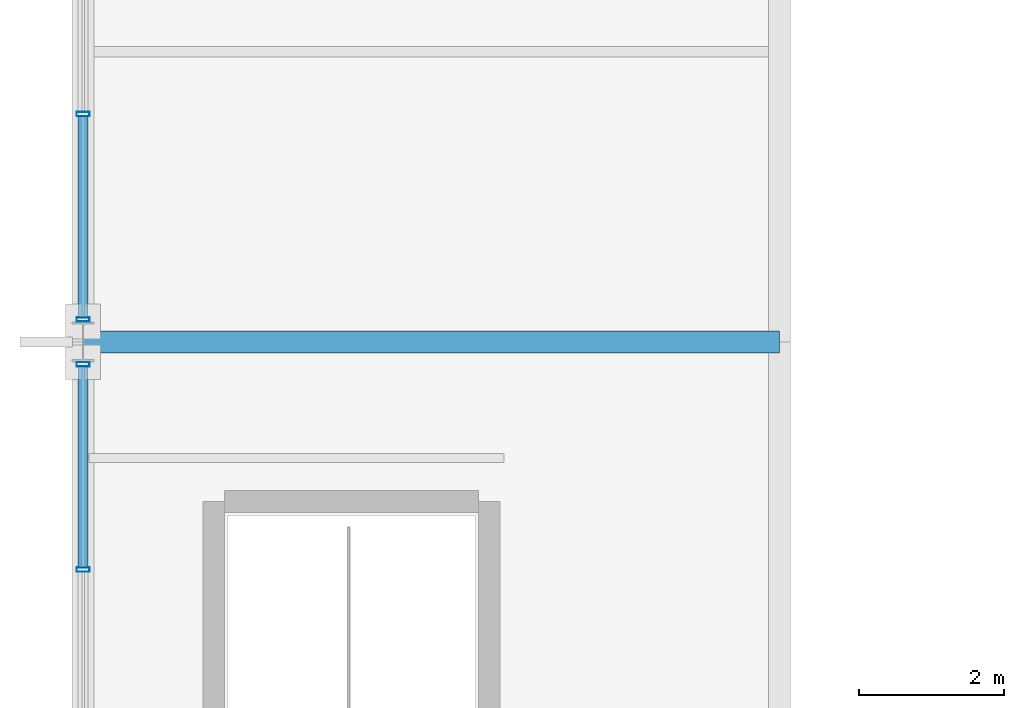
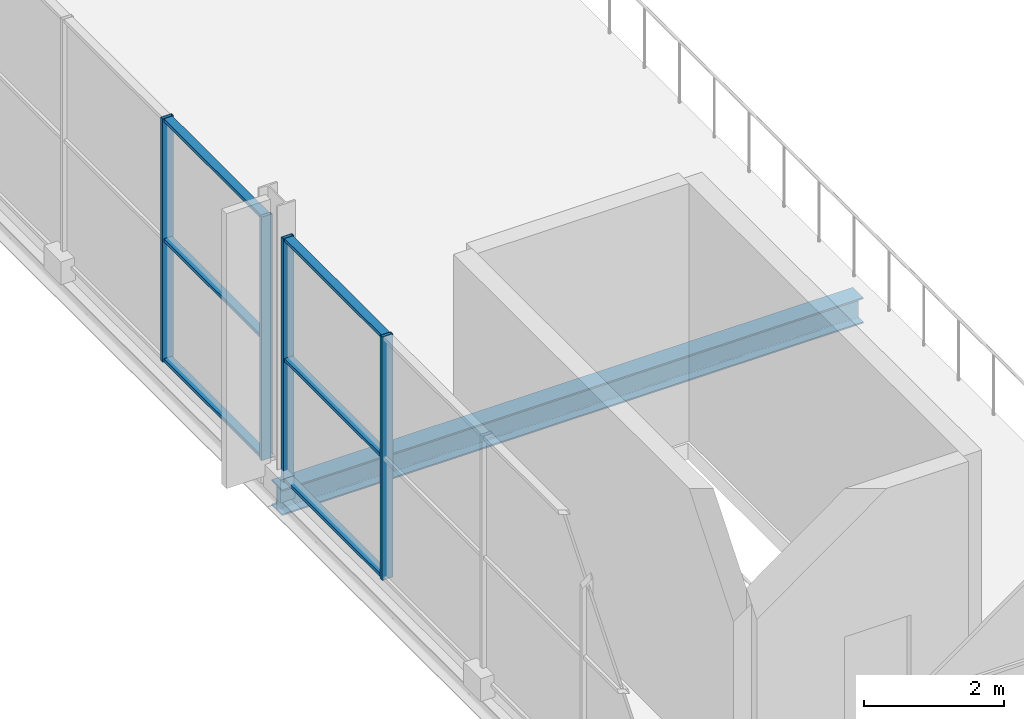
# One storey, part 25 of 159: 10 members, 1 beam, 2 elements without a shape of their own.
"""IFC4 building model written with IfcOpenShell, lengths in metres."""

from ifc_helpers import new_model, si_unit, direction, frame, origin, origin_2d, place, context, subcontext, project, spatial, hollow_rectangle, i_section, extrude, material, material_profile, profile_set, type_object, element, aggregate, save


model = new_model("IFC4")

# Units and contexts
model_context = context("Model", 3, precision=1e-05, world=origin(), true_north=direction((0.0, 1.0)))
body_context = subcontext(model_context, "Body", "Model", "MODEL_VIEW")
ifc_project = project(units=[si_unit("LENGTHUNIT", "METRE"), si_unit("AREAUNIT", "SQUARE_METRE"), si_unit("VOLUMEUNIT", "CUBIC_METRE"), si_unit("PLANEANGLEUNIT", "RADIAN"), si_unit("MASSUNIT", "GRAM", prefix="KILO")], contexts=[model_context])

# Site, building, storey
site_placement = place(None, origin())
site = spatial("IfcSite", under=ifc_project, at=site_placement, CompositionType="ELEMENT")
building_placement = place(site_placement, origin())
building = spatial("IfcBuilding", under=site, at=building_placement, Name="Merenkruunu Market Hall", CompositionType="ELEMENT")
storey_placement = place(building_placement, frame((0.0, 0.0, 5.39990234375)))
storey = spatial("IfcBuildingStorey", under=building, at=storey_placement, Name="L01", CompositionType="ELEMENT", Elevation=5.39990234375)

# Curtain wall, members
ifc_material_1 = material(Name="Powder-coated aluminium", Category="aluminium")
curtain_wall_type = type_object("IfcCurtainWallType", Name="Glazed Curtain Wall CW02", PredefinedType="USERDEFINED", material=ifc_material_1)
curtain_wall_1_placement = place(storey_placement, origin())
curtain_wall_1 = element("IfcCurtainWall", 1, at=curtain_wall_1_placement, inside=storey, type_object=curtain_wall_type, Name="CW-L01-CWM02-002", ObjectType="GLAZED_FACADE", PredefinedType="USERDEFINED")
ifc_material_profile_1 = material_profile(ifc_material_1, hollow_rectangle(XDim=0.06005859375, YDim=0.179931640625, WallThickness=0.00390625, at=origin_2d()), Name="ALU 60x180x4")
ifc_profile_set_1 = profile_set([ifc_material_profile_1], Name="Powder-coated aluminium")
member_type_1 = type_object("IfcMemberType", Name="Curtain Wall Mullion CWM02", PredefinedType="MULLION", material=ifc_profile_set_1)
member_1_placement = place(storey_placement, frame((0.0, 24.4599609375, 0.0), z_axis=(0.0, 0.0, 1.0), x_axis=(0.0, 1.0, 0.0)))
member_1 = element("IfcMember", 2, at=member_1_placement, type_object=member_type_1, Name="CW02 mullion 4", PredefinedType="MULLION", context=body_context, shape_type="SweptSolid", body=[
    extrude(hollow_rectangle(XDim=0.06005859375, YDim=0.179931640625, WallThickness=0.00390625, at=origin_2d()), origin(), (0.0, 0.0, 1.0), 4.25),
])
member_2_placement = place(storey_placement, frame((0.0, 27.2900390625, 0.0), z_axis=(0.0, 0.0, 1.0), x_axis=(0.0, 1.0, 0.0)))
member_2 = element("IfcMember", 3, at=member_2_placement, type_object=member_type_1, Name="CW02 mullion 5", PredefinedType="MULLION", context=body_context, shape_type="SweptSolid", body=[
    extrude(hollow_rectangle(XDim=0.06005859375, YDim=0.179931640625, WallThickness=0.00390625, at=origin_2d()), origin(), (0.0, 0.0, 1.0), 4.25),
])

curtain_wall_2_placement = place(storey_placement, origin())
curtain_wall_2 = element("IfcCurtainWall", 4, at=curtain_wall_2_placement, inside=storey, type_object=curtain_wall_type, Name="CW-L01-CWM02-005", ObjectType="GLAZED_FACADE", PredefinedType="USERDEFINED")
member_3_placement = place(storey_placement, frame((0.0, 27.909912109375, 0.0), z_axis=(0.0, 0.0, 1.0), x_axis=(0.0, 1.0, 0.0)))
member_3 = element("IfcMember", 5, at=member_3_placement, type_object=member_type_1, Name="CW02 mullion 1", PredefinedType="MULLION", context=body_context, shape_type="SweptSolid", body=[
    extrude(hollow_rectangle(XDim=0.06005859375, YDim=0.179931640625, WallThickness=0.00390625, at=origin_2d()), origin(), (0.0, 0.0, 1.0), 4.25),
])
member_4_placement = place(storey_placement, frame((0.0, 30.739990234375, 0.0), z_axis=(0.0, 0.0, 1.0), x_axis=(0.0, 1.0, 0.0)))
member_4 = element("IfcMember", 6, at=member_4_placement, type_object=member_type_1, Name="CW02 mullion 2", PredefinedType="MULLION", context=body_context, shape_type="SweptSolid", body=[
    extrude(hollow_rectangle(XDim=0.06005859375, YDim=0.179931640625, WallThickness=0.00390625, at=origin_2d()), origin(), (0.0, 0.0, 1.0), 4.25),
])

# Member
ifc_material_profile_2 = material_profile(ifc_material_1, hollow_rectangle(XDim=0.06005859375, YDim=0.139892578125, WallThickness=0.00390625, at=origin_2d()), Name="ALU 60x140x4")
ifc_profile_set_2 = profile_set([ifc_material_profile_2], Name="Powder-coated aluminium")
member_type_2 = type_object("IfcMemberType", Name="Curtain Wall Transom CWT02", PredefinedType="USERDEFINED", material=ifc_profile_set_2)
member_5_placement = place(storey_placement, frame((0.0, 24.489990234375, 0.030029296875), z_axis=(0.0, 1.0, 0.0), x_axis=(0.0, 0.0, 1.0)))
member_5 = element("IfcMember", 7, at=member_5_placement, type_object=member_type_2, Name="CW02 transom 4.1", ObjectType="TRANSOM", PredefinedType="USERDEFINED", context=body_context, shape_type="SweptSolid", body=[
    extrude(hollow_rectangle(XDim=0.06005859375, YDim=0.139892578125, WallThickness=0.00390625, at=origin_2d()), origin(), (0.0, 0.0, 1.0), 2.77001953125),
])

member_6_placement = place(storey_placement, frame((0.0, 24.489990234375, 2.125), z_axis=(0.0, 1.0, 0.0), x_axis=(0.0, 0.0, 1.0)))
member_6 = element("IfcMember", 8, at=member_6_placement, type_object=member_type_2, Name="CW02 transom 4.2", ObjectType="TRANSOM", PredefinedType="USERDEFINED", context=body_context, shape_type="SweptSolid", body=[
    extrude(hollow_rectangle(XDim=0.06005859375, YDim=0.139892578125, WallThickness=0.00390625, at=origin_2d()), origin(), (0.0, 0.0, 1.0), 2.77001953125),
])

member_7_placement = place(storey_placement, frame((0.0, 24.489990234375, 4.22021484375), z_axis=(0.0, 1.0, 0.0), x_axis=(0.0, 0.0, 1.0)))
member_7 = element("IfcMember", 9, at=member_7_placement, type_object=member_type_2, Name="CW02 transom 4.3", ObjectType="TRANSOM", PredefinedType="USERDEFINED", context=body_context, shape_type="SweptSolid", body=[
    extrude(hollow_rectangle(XDim=0.06005859375, YDim=0.139892578125, WallThickness=0.00390625, at=origin_2d()), origin(), (0.0, 0.0, 1.0), 2.77001953125),
])

aggregate(curtain_wall_1, [member_1, member_2, member_5, member_6, member_7])

member_8_placement = place(storey_placement, frame((0.0, 27.93994140625, 0.030029296875), z_axis=(0.0, 1.0, 0.0), x_axis=(0.0, 0.0, 1.0)))
member_8 = element("IfcMember", 10, at=member_8_placement, type_object=member_type_2, Name="CW02 transom 1.1", ObjectType="TRANSOM", PredefinedType="USERDEFINED", context=body_context, shape_type="SweptSolid", body=[
    extrude(hollow_rectangle(XDim=0.06005859375, YDim=0.139892578125, WallThickness=0.00390625, at=origin_2d()), origin(), (0.0, 0.0, 1.0), 2.77001953125),
])

member_9_placement = place(storey_placement, frame((0.0, 27.93994140625, 2.125), z_axis=(0.0, 1.0, 0.0), x_axis=(0.0, 0.0, 1.0)))
member_9 = element("IfcMember", 11, at=member_9_placement, type_object=member_type_2, Name="CW02 transom 1.2", ObjectType="TRANSOM", PredefinedType="USERDEFINED", context=body_context, shape_type="SweptSolid", body=[
    extrude(hollow_rectangle(XDim=0.06005859375, YDim=0.139892578125, WallThickness=0.00390625, at=origin_2d()), origin(), (0.0, 0.0, 1.0), 2.77001953125),
])

member_10_placement = place(storey_placement, frame((0.0, 27.93994140625, 4.22021484375), z_axis=(0.0, 1.0, 0.0), x_axis=(0.0, 0.0, 1.0)))
member_10 = element("IfcMember", 12, at=member_10_placement, type_object=member_type_2, Name="CW02 transom 1.3", ObjectType="TRANSOM", PredefinedType="USERDEFINED", context=body_context, shape_type="SweptSolid", body=[
    extrude(hollow_rectangle(XDim=0.06005859375, YDim=0.139892578125, WallThickness=0.00390625, at=origin_2d()), origin(), (0.0, 0.0, 1.0), 2.77001953125),
])

aggregate(curtain_wall_2, [member_3, member_4, member_8, member_9, member_10])

# Beam
ifc_material_2 = material(Name="Steel S355J2", Category="steel")
ifc_material_profile_3 = material_profile(ifc_material_2, i_section(OverallWidth=0.300048828125, OverallDepth=0.449951171875, WebThickness=0.013916015625, FlangeThickness=0.02587890625, FilletRadius=0.027099609375, at=origin_2d()), Name="HEB 450")
ifc_profile_set_3 = profile_set([ifc_material_profile_3], Name="Steel S355J2")
beam_type = type_object("IfcBeamType", Name="Primary Floor Girder B03", PredefinedType="BEAM", material=ifc_profile_set_3)
beam_placement = place(storey_placement, frame((0.0, 27.60009765625, -0.5048828125), z_axis=(1.0, 0.0, 0.0), x_axis=(0.0, 1.0, 0.0)))
element("IfcBeam", 13, at=beam_placement, inside=storey, type_object=beam_type, Name="BM-L01-B03-0481", PredefinedType="BEAM", context=body_context, shape_type="SweptSolid", body=[
    extrude(i_section(OverallWidth=0.300048828125, OverallDepth=0.449951171875, WebThickness=0.013916015625, FlangeThickness=0.02587890625, FilletRadius=0.027099609375, at=origin_2d()), origin(), (0.0, 0.0, 1.0), 9.60009765625),
])

save(model, "model.ifc")
